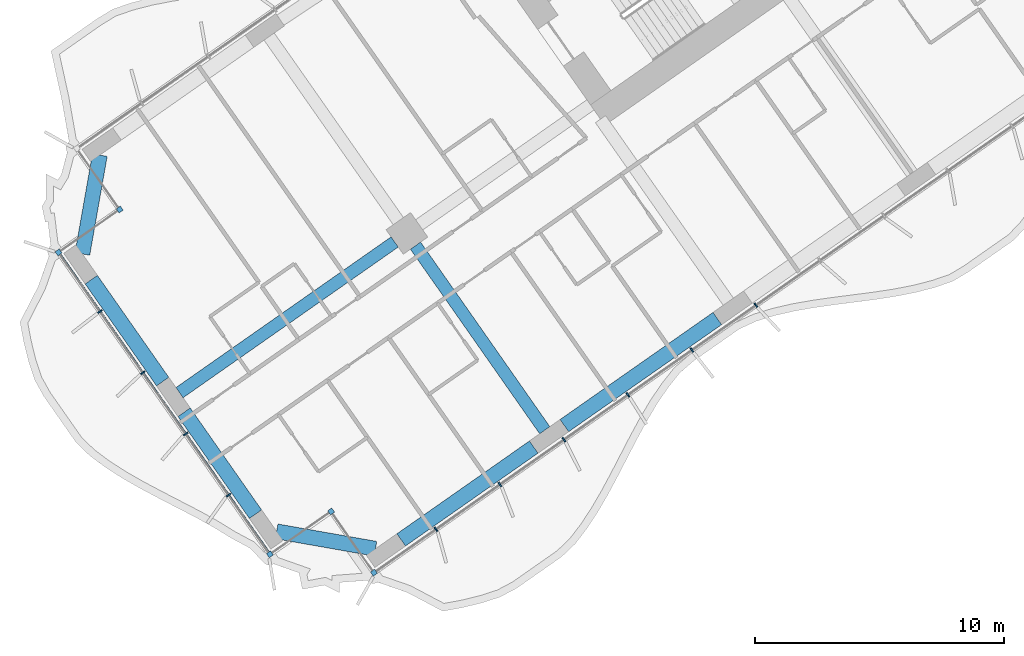
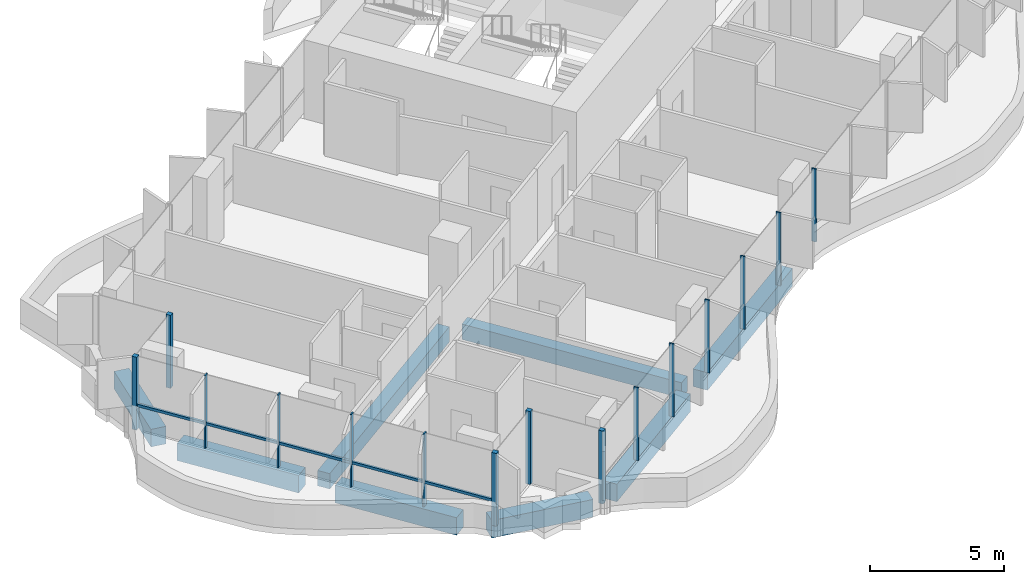
# One storey, part 2 of 25: 16 members, 8 beams, 1 element without a shape of its own.
"""IFC4 building model written with IfcOpenShell, lengths in metres."""

from ifc_helpers import new_model, si_unit, direction, frame, origin, origin_2d, place, context, subcontext, project, spatial, rectangle, extrude, material, material_profile, profile_set, type_object, element, aggregate, save


model = new_model("IFC4")

# Units and contexts
model_context = context("Model", 3, precision=1e-05, world=origin(), true_north=direction((0.0, 1.0)))
body_context = subcontext(model_context, "Body", "Model", "MODEL_VIEW")
ifc_project = project(units=[si_unit("LENGTHUNIT", "METRE"), si_unit("AREAUNIT", "SQUARE_METRE"), si_unit("VOLUMEUNIT", "CUBIC_METRE"), si_unit("PLANEANGLEUNIT", "RADIAN"), si_unit("MASSUNIT", "GRAM", prefix="KILO")], contexts=[model_context])

# Site, building, storey
site_placement = place(None, origin())
site = spatial("IfcSite", under=ifc_project, at=site_placement, CompositionType="ELEMENT")
building_placement = place(site_placement, origin())
building = spatial("IfcBuilding", under=site, at=building_placement, Name="Tel Ilan Convention Tower", CompositionType="ELEMENT")
storey_placement = place(building_placement, frame((0.0, 0.0, 61.699951171875)))
storey = spatial("IfcBuildingStorey", under=building, at=storey_placement, Name="L10", CompositionType="ELEMENT", Elevation=61.699951171875)

# Beams
ifc_material_1 = material(Name="Concrete C40/50", Category="concrete")
ifc_material_profile_1 = material_profile(ifc_material_1, rectangle(XDim=0.5, YDim=0.699951171875, at=origin_2d()), Name="RC 500x700")
ifc_profile_set_1 = profile_set([ifc_material_profile_1], Name="Concrete C40/50")
beam_type_1 = type_object("IfcBeamType", Name="Beam RC 500x700 Concrete C40/50", PredefinedType="BEAM", material=ifc_profile_set_1)
beam_1_placement = place(storey_placement, frame((-29.98095703125, -20.992919921875, -0.6298828125), z_axis=(-0.819151461915, -0.573577268067, 0.0), x_axis=(0.573577268067, -0.819151461915, 0.0)))
element("IfcBeam", 1, at=beam_1_placement, inside=storey, type_object=beam_type_1, Name="L10 beam W-W-M4-end", PredefinedType="BEAM", context=body_context, shape_type="SweptSolid", body=[
    extrude(rectangle(XDim=0.5, YDim=0.699951171875, at=origin_2d()), origin(), (0.0, 0.0, 1.0), 10.550048828125),
])
beam_2_placement = place(storey_placement, frame((-29.145263671875, -21.14013671875, -0.6298828125), z_axis=(0.573549245583, -0.819171082798, 0.0), x_axis=(0.819171082798, 0.573549245583, 0.0)))
element("IfcBeam", 2, at=beam_2_placement, inside=storey, type_object=beam_type_1, Name="L10 beam W-W-M4-W-F4", PredefinedType="BEAM", context=body_context, shape_type="SweptSolid", body=[
    extrude(rectangle(XDim=0.5, YDim=0.699951171875, at=origin_2d()), origin(), (0.0, 0.0, 1.0), 9.050048828125),
])
ifc_material_2 = material(Name="Concrete C40/50", Category="concrete")
ifc_material_profile_2 = material_profile(ifc_material_2, rectangle(XDim=0.60009765625, YDim=0.800048828125, at=origin_2d()), Name="RC 600x800")
ifc_profile_set_2 = profile_set([ifc_material_profile_2], Name="Concrete C40/50")
beam_type_2 = type_object("IfcBeamType", Name="Beam RC 600x800 Concrete C40/50", PredefinedType="BEAM", material=ifc_profile_set_2)
beam_3_placement = place(storey_placement, frame((-17.0244140625, -24.0673828125, -0.679931640625), z_axis=(-0.81915238829, -0.573575945067, 0.0), x_axis=(0.573575945067, -0.81915238829, 0.0)))
element("IfcBeam", 3, at=beam_3_placement, inside=storey, type_object=beam_type_2, Name="L10 beam W-W-F3-W-F4", PredefinedType="BEAM", context=body_context, shape_type="SweptSolid", body=[
    extrude(rectangle(XDim=0.60009765625, YDim=0.800048828125, at=origin_2d()), origin(), (0.0, 0.0, 1.0), 7.5),
])
beam_4_placement = place(storey_placement, frame((-24.396728515625, -29.2294921875, -0.679931640625), z_axis=(-0.819148977158, -0.573580816643, 0.0), x_axis=(0.573580816643, -0.819148977158, 0.0)))
element("IfcBeam", 4, at=beam_4_placement, inside=storey, type_object=beam_type_2, Name="L10 beam W-W-F4-W-FC", PredefinedType="BEAM", context=body_context, shape_type="SweptSolid", body=[
    extrude(rectangle(XDim=0.60009765625, YDim=0.800048828125, at=origin_2d()), origin(), (0.0, 0.0, 1.0), 6.5),
])
beam_5_placement = place(storey_placement, frame((-30.75341796875, -33.314208984375, -0.679931640625), z_axis=(-0.984815252405, 0.173605641124, 0.0), x_axis=(-0.173605641124, -0.984815252405, 0.0)))
element("IfcBeam", 5, at=beam_5_placement, inside=storey, type_object=beam_type_2, Name="L10 beam W-W-FC-W-E1", PredefinedType="BEAM", context=body_context, shape_type="SweptSolid", body=[
    extrude(rectangle(XDim=0.60009765625, YDim=0.800048828125, at=origin_2d()), origin(), (0.0, 0.0, 1.0), 4.030517578125),
])
for number, where, z_axis, x_axis, name in (
    (6, (-35.57080078125, -31.92626953125, -0.679931640625), (-0.573586866468, 0.819144740944, 0.0), (-0.819144740944, -0.573586866468, 0.0), "L10 beam W-W-E1-W-E2"),
    (7, (-39.298828125, -26.601806640625, -0.679931640625), (-0.573586866468, 0.819144740944, 0.0), (-0.819144740944, -0.573586866468, 0.0), "L10 beam W-W-E2-W-E3"),
):
    element("IfcBeam", number, at=place(storey_placement, frame(where, z_axis=z_axis, x_axis=x_axis)), inside=storey, type_object=beam_type_2, Name=name, PredefinedType="BEAM", context=body_context, shape_type="SweptSolid", body=[
        extrude(rectangle(XDim=0.60009765625, YDim=0.800048828125, at=origin_2d()), origin(), (0.0, 0.0, 1.0), 5.0),
    ])
beam_6_placement = place(storey_placement, frame((-42.523193359375, -21.473876953125, -0.679931640625), z_axis=(0.173605641124, 0.984815252405, 0.0), x_axis=(-0.984815252405, 0.173605641124, 0.0)))
element("IfcBeam", 8, at=beam_6_placement, inside=storey, type_object=beam_type_2, Name="L10 beam W-W-E3-W-BC", PredefinedType="BEAM", context=body_context, shape_type="SweptSolid", body=[
    extrude(rectangle(XDim=0.60009765625, YDim=0.800048828125, at=origin_2d()), origin(), (0.0, 0.0, 1.0), 4.030517578125),
])

# Curtain wall, members
ifc_material_3 = material(Name="Aluminium, bronze anodised", Category="aluminium")
curtain_wall_type = type_object("IfcCurtainWallType", Name="CW1 UNITISED CURTAIN WALL, HOTEL TINTED GLASS", PredefinedType="NOTDEFINED", material=ifc_material_3)
curtain_wall_placement = place(storey_placement, origin())
curtain_wall = element("IfcCurtainWall", 9, at=curtain_wall_placement, inside=storey, type_object=curtain_wall_type, Name="Curtain wall CW1-11.02", PredefinedType="NOTDEFINED")
ifc_material_4 = material(Name="Aluminium, bronze anodised", Category="aluminium")
ifc_material_profile_3 = material_profile(ifc_material_4, rectangle(XDim=0.199951171875, YDim=0.199951171875, at=origin_2d()), Name="CW CORNER MULLION 200x200")
ifc_profile_set_3 = profile_set([ifc_material_profile_3], Name="Aluminium, bronze anodised")
member_type_1 = type_object("IfcMemberType", Name="CW CORNER MULLION 200x200", PredefinedType="MULLION", material=ifc_profile_set_3)
member_1_placement = place(storey_placement, frame((-41.0244140625, -19.69189453125, 0.0), z_axis=(0.0, 0.0, 1.0), x_axis=(0.573576436351, -0.819152044289, 0.0)))
member_1 = element("IfcMember", 10, at=member_1_placement, type_object=member_type_1, Name="Corner mullion", PredefinedType="MULLION", context=body_context, shape_type="SweptSolid", body=[
    extrude(rectangle(XDim=0.199951171875, YDim=0.199951171875, at=origin_2d()), origin(), (0.0, 0.0, 1.0), 3.320068359375),
])
member_2_placement = place(storey_placement, frame((-43.48193359375, -21.41259765625, 0.0), z_axis=(0.0, 0.0, 1.0), x_axis=(-0.819152044289, -0.573576436351, 0.0)))
member_2 = element("IfcMember", 11, at=member_2_placement, type_object=member_type_1, Name="Corner mullion", PredefinedType="MULLION", context=body_context, shape_type="SweptSolid", body=[
    extrude(rectangle(XDim=0.199951171875, YDim=0.199951171875, at=origin_2d()), origin(), (0.0, 0.0, 1.0), 3.320068359375),
])
member_3_placement = place(storey_placement, frame((-34.992919921875, -33.5361328125, 0.0), z_axis=(0.0, 0.0, 1.0), x_axis=(0.573576436351, -0.819152044289, 0.0)))
member_3 = element("IfcMember", 12, at=member_3_placement, type_object=member_type_1, Name="Corner mullion", PredefinedType="MULLION", context=body_context, shape_type="SweptSolid", body=[
    extrude(rectangle(XDim=0.199951171875, YDim=0.199951171875, at=origin_2d()), origin(), (0.0, 0.0, 1.0), 3.320068359375),
])
member_4_placement = place(storey_placement, frame((-32.535400390625, -31.815185546875, 0.0), z_axis=(0.0, 0.0, 1.0), x_axis=(0.819152044289, 0.573576436351, 0.0)))
member_4 = element("IfcMember", 13, at=member_4_placement, type_object=member_type_1, Name="Corner mullion", PredefinedType="MULLION", context=body_context, shape_type="SweptSolid", body=[
    extrude(rectangle(XDim=0.199951171875, YDim=0.199951171875, at=origin_2d()), origin(), (0.0, 0.0, 1.0), 3.320068359375),
])
member_5_placement = place(storey_placement, frame((-30.814697265625, -34.272705078125, 0.0), z_axis=(0.0, 0.0, 1.0), x_axis=(0.573576436351, -0.819152044289, 0.0)))
member_5 = element("IfcMember", 14, at=member_5_placement, type_object=member_type_1, Name="Corner mullion", PredefinedType="MULLION", context=body_context, shape_type="SweptSolid", body=[
    extrude(rectangle(XDim=0.199951171875, YDim=0.199951171875, at=origin_2d()), origin(), (0.0, 0.0, 1.0), 3.320068359375),
])
ifc_material_5 = material(Name="Aluminium, bronze anodised", Category="aluminium")
ifc_material_profile_4 = material_profile(ifc_material_5, rectangle(XDim=0.06005859375, YDim=0.199951171875, at=origin_2d()), Name="CW MULLION 60x200")
ifc_profile_set_4 = profile_set([ifc_material_profile_4], Name="Aluminium, bronze anodised")
member_type_2 = type_object("IfcMemberType", Name="CW MULLION 60x200", PredefinedType="MULLION", material=ifc_profile_set_4)
member_6_placement = place(storey_placement, frame((-41.818359375, -23.7880859375, 0.0), z_axis=(0.0, 0.0, 1.0), x_axis=(0.573576436351, -0.819152044289, 0.0)))
member_6 = element("IfcMember", 15, at=member_6_placement, type_object=member_type_2, Name="Mullion", PredefinedType="MULLION", context=body_context, shape_type="SweptSolid", body=[
    extrude(rectangle(XDim=0.06005859375, YDim=0.199951171875, at=origin_2d()), origin(), (0.0, 0.0, 1.0), 3.320068359375),
])
member_7_placement = place(storey_placement, frame((-40.09765625, -26.24560546875, 0.0), z_axis=(0.0, 0.0, 1.0), x_axis=(0.573576436351, -0.819152044289, 0.0)))
member_7 = element("IfcMember", 16, at=member_7_placement, type_object=member_type_2, Name="Mullion", PredefinedType="MULLION", context=body_context, shape_type="SweptSolid", body=[
    extrude(rectangle(XDim=0.06005859375, YDim=0.199951171875, at=origin_2d()), origin(), (0.0, 0.0, 1.0), 3.320068359375),
])
member_8_placement = place(storey_placement, frame((-38.376953125, -28.703125, 0.0), z_axis=(0.0, 0.0, 1.0), x_axis=(0.573576436351, -0.819152044289, 0.0)))
member_8 = element("IfcMember", 17, at=member_8_placement, type_object=member_type_2, Name="Mullion", PredefinedType="MULLION", context=body_context, shape_type="SweptSolid", body=[
    extrude(rectangle(XDim=0.06005859375, YDim=0.199951171875, at=origin_2d()), origin(), (0.0, 0.0, 1.0), 3.320068359375),
])
member_9_placement = place(storey_placement, frame((-36.65625, -31.160400390625, 0.0), z_axis=(0.0, 0.0, 1.0), x_axis=(0.573576436351, -0.819152044289, 0.0)))
member_9 = element("IfcMember", 18, at=member_9_placement, type_object=member_type_2, Name="Mullion", PredefinedType="MULLION", context=body_context, shape_type="SweptSolid", body=[
    extrude(rectangle(XDim=0.06005859375, YDim=0.199951171875, at=origin_2d()), origin(), (0.0, 0.0, 1.0), 3.320068359375),
])
member_10_placement = place(storey_placement, frame((-28.32666015625, -32.530517578125, 0.0), z_axis=(0.0, 0.0, 1.0), x_axis=(0.819152044289, 0.573576436351, 0.0)))
member_10 = element("IfcMember", 19, at=member_10_placement, type_object=member_type_2, Name="Mullion", PredefinedType="MULLION", context=body_context, shape_type="SweptSolid", body=[
    extrude(rectangle(XDim=0.06005859375, YDim=0.199951171875, at=origin_2d()), origin(), (0.0, 0.0, 1.0), 3.320068359375),
])
member_11_placement = place(storey_placement, frame((-25.7568359375, -30.731201171875, 0.0), z_axis=(0.0, 0.0, 1.0), x_axis=(0.819152044289, 0.573576436351, 0.0)))
member_11 = element("IfcMember", 20, at=member_11_placement, type_object=member_type_2, Name="Mullion", PredefinedType="MULLION", context=body_context, shape_type="SweptSolid", body=[
    extrude(rectangle(XDim=0.06005859375, YDim=0.199951171875, at=origin_2d()), origin(), (0.0, 0.0, 1.0), 3.320068359375),
])
member_12_placement = place(storey_placement, frame((-23.186767578125, -28.931640625, 0.0), z_axis=(0.0, 0.0, 1.0), x_axis=(0.819152044289, 0.573576436351, 0.0)))
member_12 = element("IfcMember", 21, at=member_12_placement, type_object=member_type_2, Name="Mullion", PredefinedType="MULLION", context=body_context, shape_type="SweptSolid", body=[
    extrude(rectangle(XDim=0.06005859375, YDim=0.199951171875, at=origin_2d()), origin(), (0.0, 0.0, 1.0), 3.320068359375),
])
member_13_placement = place(storey_placement, frame((-20.616943359375, -27.132080078125, 0.0), z_axis=(0.0, 0.0, 1.0), x_axis=(0.819152044289, 0.573576436351, 0.0)))
member_13 = element("IfcMember", 22, at=member_13_placement, type_object=member_type_2, Name="Mullion", PredefinedType="MULLION", context=body_context, shape_type="SweptSolid", body=[
    extrude(rectangle(XDim=0.06005859375, YDim=0.199951171875, at=origin_2d()), origin(), (0.0, 0.0, 1.0), 3.320068359375),
])
member_14_placement = place(storey_placement, frame((-18.046875, -25.332763671875, 0.0), z_axis=(0.0, 0.0, 1.0), x_axis=(0.819152044289, 0.573576436351, 0.0)))
member_14 = element("IfcMember", 23, at=member_14_placement, type_object=member_type_2, Name="Mullion", PredefinedType="MULLION", context=body_context, shape_type="SweptSolid", body=[
    extrude(rectangle(XDim=0.06005859375, YDim=0.199951171875, at=origin_2d()), origin(), (0.0, 0.0, 1.0), 3.320068359375),
])
member_15_placement = place(storey_placement, frame((-15.47705078125, -23.533203125, 0.0), z_axis=(0.0, 0.0, 1.0), x_axis=(0.819152044289, 0.573576436351, 0.0)))
member_15 = element("IfcMember", 24, at=member_15_placement, type_object=member_type_2, Name="Mullion", PredefinedType="MULLION", context=body_context, shape_type="SweptSolid", body=[
    extrude(rectangle(XDim=0.06005859375, YDim=0.199951171875, at=origin_2d()), origin(), (0.0, 0.0, 1.0), 3.320068359375),
])
ifc_material_6 = material(Name="Aluminium, bronze anodised", Category="aluminium")
ifc_material_profile_5 = material_profile(ifc_material_6, rectangle(XDim=0.10009765625, YDim=0.1201171875, at=origin_2d()), Name="CW TRANSOM 100x120")
ifc_profile_set_5 = profile_set([ifc_material_profile_5], Name="Aluminium, bronze anodised")
member_type_3 = type_object("IfcMemberType", Name="CW TRANSOM 100x120", PredefinedType="USERDEFINED", material=ifc_profile_set_5)
member_16_placement = place(storey_placement, frame((-43.424560546875, -21.494384765625, 1.10009765625), z_axis=(0.573575688231, -0.819152568128, 0.0), x_axis=(0.819152568128, 0.573575688231, 0.0)))
member_16 = element("IfcMember", 25, at=member_16_placement, type_object=member_type_3, Name="Transom", ObjectType="TRANSOM", PredefinedType="USERDEFINED", context=body_context, shape_type="SweptSolid", body=[
    extrude(rectangle(XDim=0.10009765625, YDim=0.1201171875, at=origin_2d()), origin(), (0.0, 0.0, 1.0), 14.60009765625),
])
aggregate(curtain_wall, [member_1, member_2, member_6, member_7, member_8, member_9, member_3, member_16, member_4, member_5, member_10, member_11, member_12, member_13, member_14, member_15])

save(model, "model.ifc")
